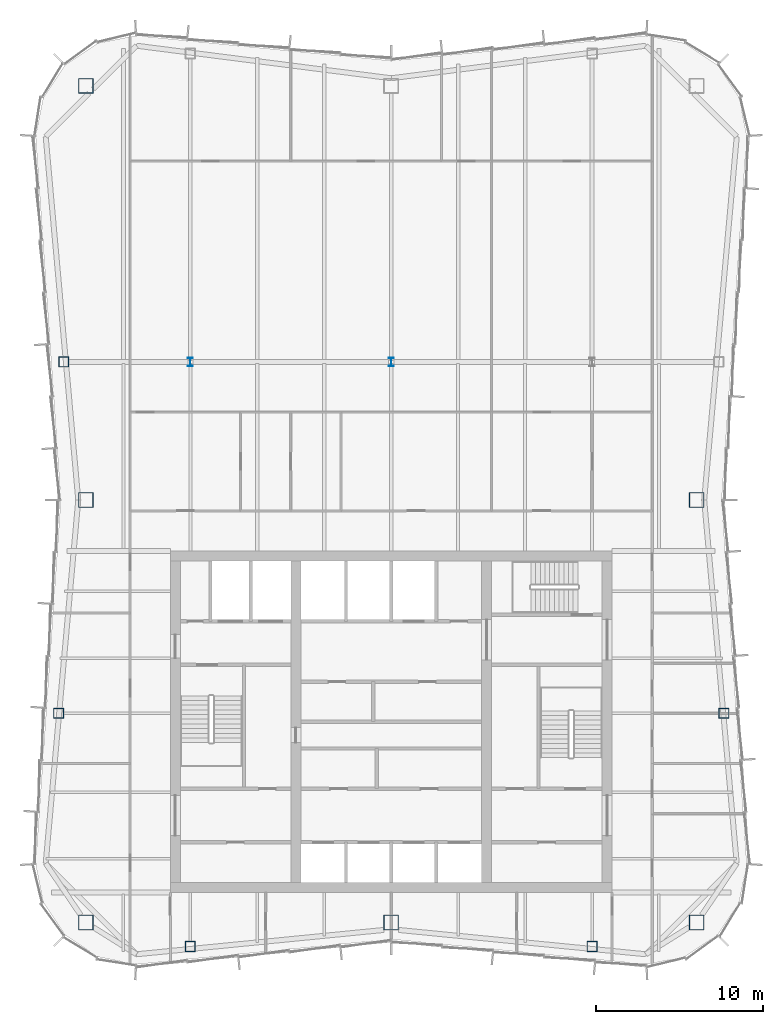
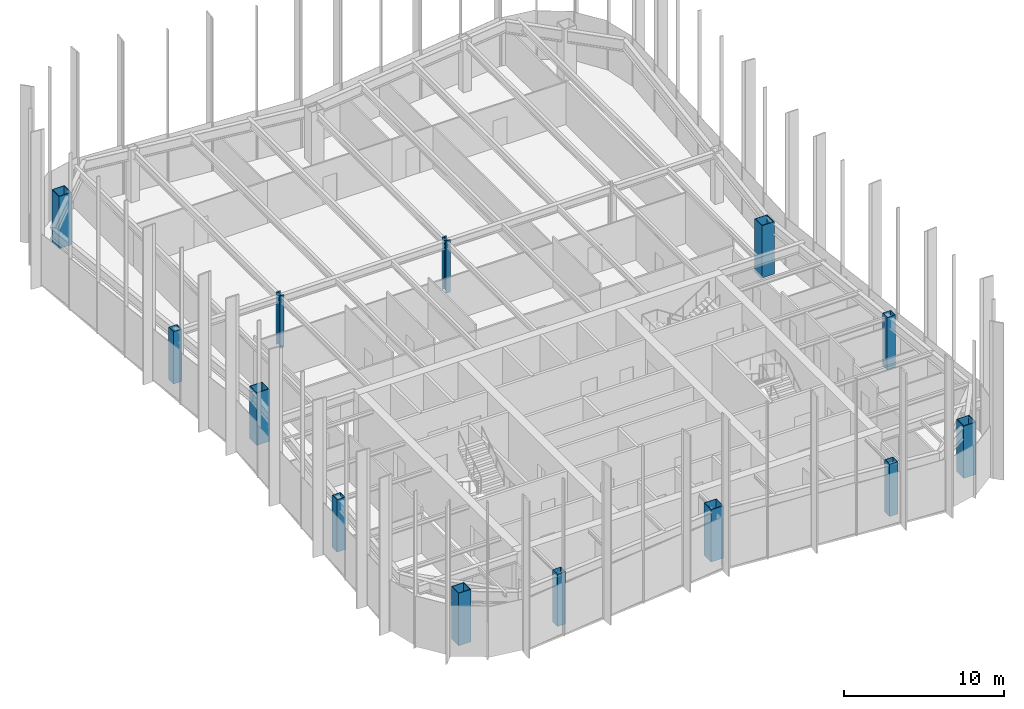
# One storey, part 1 of 13: 13 columns.
"""IFC4 building model written with IfcOpenShell, lengths in metres."""

from ifc_helpers import new_model, si_unit, direction, frame, origin, origin_2d, place, context, subcontext, project, spatial, hollow_rectangle, i_section, extrude, material, material_profile, profile_set, type_object, element, save


model = new_model("IFC4")

# Units and contexts
model_context = context("Model", 3, precision=1e-05, world=origin(), true_north=direction((0.0, 1.0)))
body_context = subcontext(model_context, "Body", "Model", "MODEL_VIEW")
ifc_project = project(units=[si_unit("LENGTHUNIT", "METRE"), si_unit("AREAUNIT", "SQUARE_METRE"), si_unit("VOLUMEUNIT", "CUBIC_METRE"), si_unit("PLANEANGLEUNIT", "RADIAN"), si_unit("MASSUNIT", "GRAM", prefix="KILO")], contexts=[model_context])

# Site, building, storey
site_placement = place(None, origin())
site = spatial("IfcSite", under=ifc_project, at=site_placement, CompositionType="ELEMENT")
building_placement = place(site_placement, origin())
building = spatial("IfcBuilding", under=site, at=building_placement, Name="Verdant Reach Tower", CompositionType="ELEMENT")
storey_placement = place(building_placement, frame((0.0, 0.0, 306.0)))
storey = spatial("IfcBuildingStorey", under=building, at=storey_placement, Name="L70", CompositionType="ELEMENT", Elevation=306.0)

# Columns
ifc_material = material(Name="Steel S460", Category="steel")
ifc_material_profile_1 = material_profile(ifc_material, i_section(OverallWidth=0.305908203125, OverallDepth=0.52392578125, WebThickness=0.012451171875, FlangeThickness=0.0400390625, FilletRadius=0.027099609375, at=origin_2d()), Name="HEM 500")
ifc_profile_set_1 = profile_set([ifc_material_profile_1], Name="Steel S460")
column_type_1 = type_object("IfcColumnType", Name="ST-COL-HEM500", PredefinedType="COLUMN", material=ifc_profile_set_1)
for number, where, z_axis, x_axis, name in (
    (1, (-12.0, 49.5, 0.0), (0.0, 0.0, 1.0), (1.0, 0.0, 0.0), "Interior column 1, L70"),
    (2, (0.0, 49.5, 0.0), (0.0, 0.0, 1.0), (1.0, 0.0, 0.0), "Interior column 2, L70"),
):
    element("IfcColumn", number, at=place(storey_placement, frame(where, z_axis=z_axis, x_axis=x_axis)), inside=storey, type_object=column_type_1, Name=name, PredefinedType="COLUMN", context=body_context, shape_type="SweptSolid", body=[
        extrude(i_section(OverallWidth=0.305908203125, OverallDepth=0.52392578125, WebThickness=0.012451171875, FlangeThickness=0.0400390625, FilletRadius=0.027099609375, at=origin_2d()), origin(), (0.0, 0.0, 1.0), 4.0),
    ])
ifc_material_profile_2 = material_profile(ifc_material, hollow_rectangle(XDim=0.60009765625, YDim=0.60009765625, WallThickness=0.02490234375, at=origin_2d()), Name="WB 600x600x25")
ifc_profile_set_2 = profile_set([ifc_material_profile_2], Name="Steel S460")
column_type_2 = type_object("IfcColumnType", Name="ST-COL-WB600x600x25", PredefinedType="COLUMN", material=ifc_profile_set_2)
for number, where, z_axis, x_axis, name in (
    (3, (-12.0, 14.569580078125, 0.0), (0.0, 0.0, 1.0), (1.0, 0.0, 0.0), "Perimeter column south 1, L70"),
    (4, (12.0, 14.569580078125, 0.0), (0.0, 0.0, 1.0), (1.0, 0.0, 0.0), "Perimeter column south 2, L70"),
    (5, (19.87939453125, 28.5, 0.0), (0.0, 0.0, 1.0), (1.0, 0.0, 0.0), "Perimeter column east 1, L70"),
    (6, (-19.87939453125, 28.5, 0.0), (0.0, 0.0, 1.0), (1.0, 0.0, 0.0), "Perimeter column west 1, L70"),
    (7, (-19.569091796875, 49.5, 0.0), (0.0, 0.0, 1.0), (1.0, 0.0, 0.0), "Perimeter column west 2, L70"),
):
    element("IfcColumn", number, at=place(storey_placement, frame(where, z_axis=z_axis, x_axis=x_axis)), inside=storey, type_object=column_type_2, Name=name, PredefinedType="COLUMN", context=body_context, shape_type="SweptSolid", body=[
        extrude(hollow_rectangle(XDim=0.60009765625, YDim=0.60009765625, WallThickness=0.02490234375, at=origin_2d()), origin(), (0.0, 0.0, 1.0), 4.0),
    ])
ifc_material_profile_3 = material_profile(ifc_material, hollow_rectangle(XDim=0.89990234375, YDim=0.89990234375, WallThickness=0.0400390625, at=origin_2d()), Name="WB 900x900x40")
ifc_profile_set_3 = profile_set([ifc_material_profile_3], Name="Steel S460")
column_type_3 = type_object("IfcColumnType", Name="ST-COL-WB900x900x40", PredefinedType="COLUMN", material=ifc_profile_set_3)
for number, where, z_axis, x_axis, name in (
    (8, (-18.25, 66.0, 0.0), (0.0, 0.0, 1.0), (1.0, 0.0, 0.0), "Mega column north-west, L70"),
    (9, (18.25, 41.25, 0.0), (0.0, 0.0, 1.0), (1.0, 0.0, 0.0), "Mega column east, L70"),
    (10, (18.25, 16.0, 0.0), (0.0, 0.0, 1.0), (1.0, 0.0, 0.0), "Mega column south-east, L70"),
    (11, (0.0, 16.0, 0.0), (0.0, 0.0, 1.0), (1.0, 0.0, 0.0), "Mega column south, L70"),
    (12, (-18.25, 16.0, 0.0), (0.0, 0.0, 1.0), (1.0, 0.0, 0.0), "Mega column south-west, L70"),
    (13, (-18.25, 41.25, 0.0), (0.0, 0.0, 1.0), (1.0, 0.0, 0.0), "Mega column west, L70"),
):
    element("IfcColumn", number, at=place(storey_placement, frame(where, z_axis=z_axis, x_axis=x_axis)), inside=storey, type_object=column_type_3, Name=name, PredefinedType="COLUMN", context=body_context, shape_type="SweptSolid", body=[
        extrude(hollow_rectangle(XDim=0.89990234375, YDim=0.89990234375, WallThickness=0.0400390625, at=origin_2d()), origin(), (0.0, 0.0, 1.0), 4.0),
    ])

save(model, "model.ifc")
